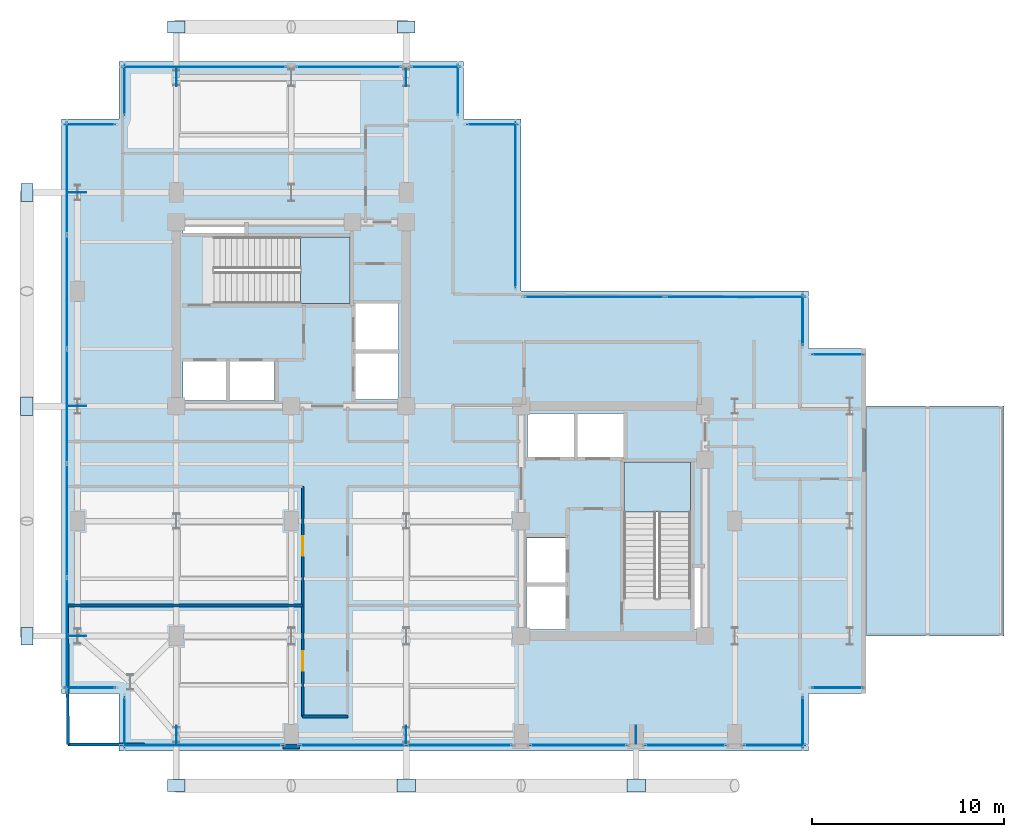
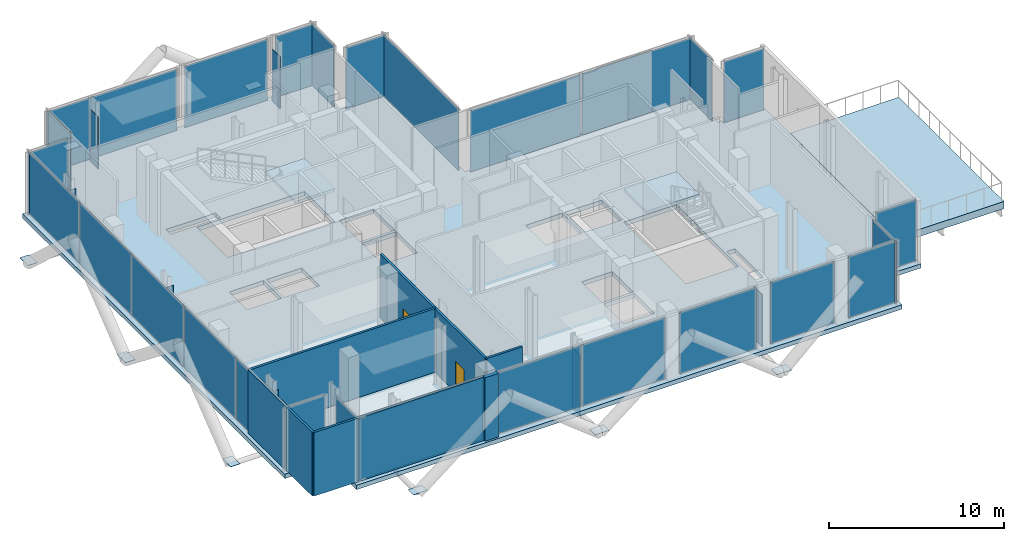
# One storey, part 13 of 19: 43 plates, 6 walls, 4 slabs, 2 doors, 2 openings, 23 elements without a shape of their own.
"""IFC4 building model written with IfcOpenShell, lengths in metres."""

import ifcopenshell
import ifcopenshell.guid

model = None  # the IFC model being written
_history = None  # IfcOwnerHistory: only IFC2X3 demands one
_inside = {}  # id of a spatial element -> (the spatial element, [elements in it])
_under = {}  # id of a project, library or spatial element -> (it, [spatial elements below it])
_declared = {}  # id of a project -> (the project, [libraries it declares])
_typed = {}  # id of a type object -> (the type object, [elements of that type])
_made_of = {}  # id of a material, layer set ... -> (it, [elements and type objects made of it])


def new_model(schema):
    """Start an empty IFC model of exactly this schema.

    Asked for "IFC4X3", IfcOpenShell would pick the latest addendum, in which some entities
    have other attributes; the version numbers below select the first issue.
    IFC2X3 requires an IfcOwnerHistory on every rooted entity: one is made here for all.
    """
    global model, _history
    if schema == "IFC4X3":
        model = ifcopenshell.file(schema_version=(4, 3, 0, 0))
    else:
        model = ifcopenshell.file(schema=schema)
    _inside.clear()
    _under.clear()
    _declared.clear()
    _typed.clear()
    _made_of.clear()
    _history = None
    if model.schema == "IFC2X3":
        org = make("IfcOrganization", Name="unknown")
        user = make(
            "IfcPersonAndOrganization",
            ThePerson=make("IfcPerson", FamilyName="unknown"),
            TheOrganization=org,
        )
        app = make(
            "IfcApplication",
            ApplicationDeveloper=org,
            Version="unknown",
            ApplicationFullName="unknown",
            ApplicationIdentifier="unknown",
        )
        _history = make(
            "IfcOwnerHistory",
            OwningUser=user,
            OwningApplication=app,
            ChangeAction="ADDED",
            CreationDate=0,
        )
    return model


def make(cls, **values):
    """One entity of the class cls with the attributes given. An attribute that is None is left unset."""
    return model.create_entity(
        cls, **{name: value for name, value in values.items() if value is not None}
    )


def rooted(cls, **values):
    """An entity with a GlobalId (a new one), such as an element, a storey or a relation."""
    return make(cls, GlobalId=ifcopenshell.guid.new(), OwnerHistory=_history, **values)


def si_unit(unit_type, name, prefix=None):
    """IfcSIUnit, for example si_unit("LENGTHUNIT", "METRE", prefix="MILLI")."""
    return make("IfcSIUnit", UnitType=unit_type, Prefix=prefix, Name=name)


def assignment(units):
    """IfcUnitAssignment: the units of a project."""
    return None if units is None else make("IfcUnitAssignment", Units=units)


def point(xyz):
    """IfcCartesianPoint."""
    return None if xyz is None else make("IfcCartesianPoint", Coordinates=xyz)


def direction(xyz):
    """IfcDirection."""
    return None if xyz is None else make("IfcDirection", DirectionRatios=xyz)


def frame(location, z_axis=None, x_axis=None):
    """IfcAxis2Placement3D, a coordinate frame: its origin and axes. An axis left out is left unset."""
    return make(
        "IfcAxis2Placement3D",
        Location=point(location),
        Axis=direction(z_axis),
        RefDirection=direction(x_axis),
    )


def frame_2d(location, x_axis=None):
    """IfcAxis2Placement2D, a coordinate frame in the plane: its origin and x axis."""
    return make(
        "IfcAxis2Placement2D", Location=point(location), RefDirection=direction(x_axis)
    )


def origin():
    """The frame at (0, 0, 0) with its axes left unset."""
    return frame((0.0, 0.0, 0.0))


def origin_2d():
    """The frame at (0, 0) in the plane with its x axis left unset."""
    return frame_2d((0.0, 0.0))


def place(relative_to, where):
    """IfcLocalPlacement: puts the frame where relative to a parent placement (None: the world)."""
    return make(
        "IfcLocalPlacement", PlacementRelTo=relative_to, RelativePlacement=where
    )


def context(
    kind, dimensions, precision=None, world=None, true_north=None, identifier=None
):
    """IfcGeometricRepresentationContext, for example the 3D "Model" context."""
    return make(
        "IfcGeometricRepresentationContext",
        ContextIdentifier=identifier,
        ContextType=kind,
        CoordinateSpaceDimension=dimensions,
        Precision=precision,
        WorldCoordinateSystem=world,
        TrueNorth=true_north,
    )


def subcontext(parent, identifier, kind, view, scale=None):
    """IfcGeometricRepresentationSubContext, for example "Body" below "Model"."""
    return make(
        "IfcGeometricRepresentationSubContext",
        ContextIdentifier=identifier,
        ContextType=kind,
        ParentContext=parent,
        TargetScale=scale,
        TargetView=view,
    )


def project(units=None, contexts=None):
    """IfcProject with its units and contexts."""
    return rooted(
        "IfcProject",
        Name="project",
        RepresentationContexts=contexts,
        UnitsInContext=assignment(units),
    )


def spatial(cls, under=None, at=None, **own):
    """A site, building, storey or space (cls), placed at a placement, below another one or the project."""
    s = rooted(cls, ObjectPlacement=at, **own)
    if under is not None:
        _under.setdefault(under.id(), (under, []))[1].append(s)
    return s


def polyline(points):
    """IfcPolyline through the points."""
    return make("IfcPolyline", Points=[point(p) for p in points])


def profile(cls, at=None, kind="AREA", **sizes):
    """A parametric profile (cls). Its sizes go by their IFC names, for example OverallWidth=200.0."""
    return make(cls, ProfileType=kind, Position=at, **sizes)


def rectangle(**sizes):
    """IfcRectangleProfileDef."""
    return profile("IfcRectangleProfileDef", **sizes)


def outline(outer, holes=None, kind="AREA"):
    """IfcArbitraryClosedProfileDef: a profile drawn as a closed curve; with holes, ...WithVoids."""
    if holes is None:
        return make("IfcArbitraryClosedProfileDef", ProfileType=kind, OuterCurve=outer)
    return make(
        "IfcArbitraryProfileDefWithVoids",
        ProfileType=kind,
        OuterCurve=outer,
        InnerCurves=holes,
    )


def extrude(swept, where, along, depth):
    """IfcExtrudedAreaSolid: the profile swept, set in the frame where, extruded along a direction by depth."""
    return make(
        "IfcExtrudedAreaSolid",
        SweptArea=swept,
        Position=where,
        ExtrudedDirection=direction(along),
        Depth=depth,
    )


def shape(context_of_items, identifier, shape_type, items):
    """IfcShapeRepresentation: the items that make up one representation, for example the "Body"."""
    return make(
        "IfcShapeRepresentation",
        ContextOfItems=context_of_items,
        RepresentationIdentifier=identifier,
        RepresentationType=shape_type,
        Items=items,
    )


def material(Name=None, Category=None):
    """IfcMaterial."""
    return make("IfcMaterial", Name=Name, Category=Category)


def layer(
    of_material, thickness, ventilated=None, Name=None, Category=None, Priority=None
):
    """IfcMaterialLayer: one layer of a wall or slab, of a material (None: an air gap)."""
    return make(
        "IfcMaterialLayer",
        Material=of_material,
        LayerThickness=thickness,
        IsVentilated=ventilated,
        Name=Name,
        Category=Category,
        Priority=Priority,
    )


def layer_set(layers, Name=None):
    """IfcMaterialLayerSet."""
    return make("IfcMaterialLayerSet", MaterialLayers=layers, LayerSetName=Name)


def made_of(thing, what):
    """Note that an element or type object is made of a material, layer set ...; save() writes the relation."""
    if what is not None:
        _made_of.setdefault(what.id(), (what, []))[1].append(thing)
    return thing


def type_object(cls, material=None, **own):
    """A type object (cls), such as IfcWallType, which elements share."""
    return made_of(rooted(cls, **own), material)


def element(
    cls,
    number,
    at=None,
    inside=None,
    cuts=None,
    type_object=None,
    material=None,
    context=None,
    identifier="Body",
    shape_type=None,
    held_by="IfcProductDefinitionShape",
    body=None,
    shapes=None,
    **own,
):
    """One element of the class cls, such as IfcWall. Its Tag is "e" and its number.

    at: its placement. inside: the storey or other place that contains it. cuts: it is an
    opening in that element (IfcRelVoidsElement). A single representation is given by context,
    identifier, shape_type and body (its items); several are given by shapes. held_by: the class
    of the entity that holds the representations. save() writes the other relations.
    """
    e = rooted(cls, Tag="e%d" % number, ObjectPlacement=at, **own)
    if body is not None:
        shapes = [shape(context, identifier, shape_type, body)]
    if shapes is not None:
        e.Representation = make(held_by, Representations=shapes)
    if inside is not None:
        _inside.setdefault(inside.id(), (inside, []))[1].append(e)
    if cuts is not None:
        rooted(
            "IfcRelVoidsElement", RelatingBuildingElement=cuts, RelatedOpeningElement=e
        )
    if type_object is not None:
        _typed.setdefault(type_object.id(), (type_object, []))[1].append(e)
    return made_of(e, material)


def fill(opening, filler):
    """IfcRelFillsElement: the door or window that sits in an opening."""
    return rooted(
        "IfcRelFillsElement",
        RelatingOpeningElement=opening,
        RelatedBuildingElement=filler,
    )


def aggregate(whole, parts):
    """IfcRelAggregates: a whole, such as a stair, and the parts it consists of."""
    return rooted("IfcRelAggregates", RelatingObject=whole, RelatedObjects=parts)


def save(model, path):
    """Write the relations noted so far, then the file.

    IfcRelAggregates (storeys below a building ...), IfcRelContainedInSpatialStructure (elements
    in a storey), IfcRelDefinesByType, IfcRelAssociatesMaterial and IfcRelDeclares: one each for
    every whole, place, type object, material and project.
    """
    for whole, parts in _under.values():
        aggregate(whole, parts)
    for where, things in _inside.values():
        rooted(
            "IfcRelContainedInSpatialStructure",
            RelatedElements=things,
            RelatingStructure=where,
        )
    for kind, things in _typed.values():
        rooted("IfcRelDefinesByType", RelatedObjects=things, RelatingType=kind)
    for what, things in _made_of.values():
        rooted("IfcRelAssociatesMaterial", RelatedObjects=things, RelatingMaterial=what)
    for by, libraries in _declared.values():
        rooted("IfcRelDeclares", RelatingContext=by, RelatedDefinitions=libraries)
    model.write(path)


model = new_model("IFC4")

# Units and contexts
model_context = context("Model", 3, precision=1e-05, world=origin(), true_north=direction((0.0, 1.0)))
body_context = subcontext(model_context, "Body", "Model", "MODEL_VIEW")
ifc_project = project(units=[si_unit("LENGTHUNIT", "METRE"), si_unit("AREAUNIT", "SQUARE_METRE"), si_unit("VOLUMEUNIT", "CUBIC_METRE"), si_unit("PLANEANGLEUNIT", "RADIAN"), si_unit("MASSUNIT", "GRAM", prefix="KILO"), si_unit("THERMODYNAMICTEMPERATUREUNIT", "KELVIN"), si_unit("POWERUNIT", "WATT")], contexts=[model_context])

# Site, building, storey
site_placement = place(None, origin())
site = spatial("IfcSite", under=ifc_project, at=site_placement, CompositionType="ELEMENT")
building_placement = place(site_placement, origin())
building = spatial("IfcBuilding", under=site, at=building_placement, Name="Svarakhadi Broadcast Tower", CompositionType="ELEMENT")
storey_placement = place(building_placement, frame((0.0, 0.0, 204.0)))
storey = spatial("IfcBuildingStorey", under=building, at=storey_placement, Name="L50", CompositionType="ELEMENT", Elevation=204.0)

# Curtain wall, plate
ifc_material_1 = material(Name="Anodised Bronze Aluminium AA 6063-T6", Category="aluminium")
ifc_layer_1 = layer(ifc_material_1, 0.239990234375)
ifc_layer_set_1 = layer_set([ifc_layer_1], Name="Anodised Bronze Aluminium AA 6063-T6")
curtain_wall_type = type_object("IfcCurtainWallType", Name="CW_Sys_06", PredefinedType="NOTDEFINED", material=ifc_layer_set_1)
curtain_wall_1_placement = place(storey_placement, origin())
curtain_wall_1 = element("IfcCurtainWall", 1, at=curtain_wall_1_placement, inside=storey, type_object=curtain_wall_type, Name="L50 Unitised Facade Curtain Wall 01", PredefinedType="NOTDEFINED")
ifc_material_2 = material(Name="Double Low-E Laminated Acoustic Glass IGU 36 mm", Category="glass")
ifc_layer_2 = layer(ifc_material_2, 0.0400390625)
ifc_layer_set_2 = layer_set([ifc_layer_2], Name="Double Low-E Laminated Acoustic Glass IGU 36 mm")
plate_type_1 = type_object("IfcPlateType", Name="CW_Sys_06_Pnl", PredefinedType="CURTAIN_PANEL", material=ifc_layer_set_2)
plate_1_placement = place(storey_placement, frame((1.5, 3.300048828125, 0.080078125), z_axis=(0.0, 0.0, 1.0), x_axis=(-1.0, 0.0, 0.0)))
plate_1 = element("IfcPlate", 2, at=plate_1_placement, type_object=plate_type_1, Name="CW-06 panel 1.1", PredefinedType="CURTAIN_PANEL", context=body_context, shape_type="SweptSolid", body=[
    extrude(rectangle(XDim=2.639892578125, YDim=0.0400390625, at=origin_2d()), origin(), (0.0, 0.0, 1.0), 4.280029296875),
])
aggregate(curtain_wall_1, [plate_1])

# Curtain wall, plates
curtain_wall_2_placement = place(storey_placement, origin())
curtain_wall_2 = element("IfcCurtainWall", 3, at=curtain_wall_2_placement, inside=storey, type_object=curtain_wall_type, Name="L50 Unitised Facade Curtain Wall 02", PredefinedType="NOTDEFINED")
plate_2_placement = place(storey_placement, frame((0.300048828125, 6.094482421875, 0.080078125), z_axis=(0.0, 0.0, 1.0), x_axis=(0.0, 1.0, 0.0)))
plate_2 = element("IfcPlate", 4, at=plate_2_placement, type_object=plate_type_1, Name="CW-06 panel 1.1", PredefinedType="CURTAIN_PANEL", context=body_context, shape_type="SweptSolid", body=[
    extrude(rectangle(XDim=5.8291015625, YDim=0.0400390625, at=origin_2d()), origin(), (0.0, 0.0, 1.0), 4.280029296875),
])
plate_3_placement = place(storey_placement, frame((0.300048828125, 12.035888671875, 0.080078125), z_axis=(0.0, 0.0, 1.0), x_axis=(0.0, 1.0, 0.0)))
plate_3 = element("IfcPlate", 5, at=plate_3_placement, type_object=plate_type_1, Name="CW-06 panel 2.1", PredefinedType="CURTAIN_PANEL", context=body_context, shape_type="SweptSolid", body=[
    extrude(rectangle(XDim=5.8740234375, YDim=0.0400390625, at=origin_2d()), origin(), (0.0, 0.0, 1.0), 4.280029296875),
])
plate_4_placement = place(storey_placement, frame((0.300048828125, 18.0, 0.080078125), z_axis=(0.0, 0.0, 1.0), x_axis=(0.0, 1.0, 0.0)))
plate_4 = element("IfcPlate", 6, at=plate_4_placement, type_object=plate_type_1, Name="CW-06 panel 3.1", PredefinedType="CURTAIN_PANEL", context=body_context, shape_type="SweptSolid", body=[
    extrude(rectangle(XDim=5.8740234375, YDim=0.0400390625, at=origin_2d()), origin(), (0.0, 0.0, 1.0), 4.280029296875),
])
plate_5_placement = place(storey_placement, frame((0.300048828125, 23.964111328125, 0.080078125), z_axis=(0.0, 0.0, 1.0), x_axis=(0.0, 1.0, 0.0)))
plate_5 = element("IfcPlate", 7, at=plate_5_placement, type_object=plate_type_1, Name="CW-06 panel 4.1", PredefinedType="CURTAIN_PANEL", context=body_context, shape_type="SweptSolid", body=[
    extrude(rectangle(XDim=5.8740234375, YDim=0.0400390625, at=origin_2d()), origin(), (0.0, 0.0, 1.0), 4.280029296875),
])
plate_6_placement = place(storey_placement, frame((0.300048828125, 29.905517578125, 0.080078125), z_axis=(0.0, 0.0, 1.0), x_axis=(0.0, 1.0, 0.0)))
plate_6 = element("IfcPlate", 8, at=plate_6_placement, type_object=plate_type_1, Name="CW-06 panel 5.1", PredefinedType="CURTAIN_PANEL", context=body_context, shape_type="SweptSolid", body=[
    extrude(rectangle(XDim=5.8291015625, YDim=0.0400390625, at=origin_2d()), origin(), (0.0, 0.0, 1.0), 4.280029296875),
])
aggregate(curtain_wall_2, [plate_2, plate_3, plate_4, plate_5, plate_6])

# Curtain wall, plate
curtain_wall_3_placement = place(storey_placement, origin())
curtain_wall_3 = element("IfcCurtainWall", 9, at=curtain_wall_3_placement, inside=storey, type_object=curtain_wall_type, Name="L50 Unitised Facade Curtain Wall 03", PredefinedType="NOTDEFINED")
plate_7_placement = place(storey_placement, frame((1.5, 32.699951171875, 0.080078125), z_axis=(0.0, 0.0, 1.0), x_axis=(1.0, 0.0, 0.0)))
plate_7 = element("IfcPlate", 10, at=plate_7_placement, type_object=plate_type_1, Name="CW-06 panel 1.1", PredefinedType="CURTAIN_PANEL", context=body_context, shape_type="SweptSolid", body=[
    extrude(rectangle(XDim=2.639892578125, YDim=0.0400390625, at=origin_2d()), origin(), (0.0, 0.0, 1.0), 4.280029296875),
])
aggregate(curtain_wall_3, [plate_7])

curtain_wall_4_placement = place(storey_placement, origin())
curtain_wall_4 = element("IfcCurtainWall", 11, at=curtain_wall_4_placement, inside=storey, type_object=curtain_wall_type, Name="L50 Unitised Facade Curtain Wall 04", PredefinedType="NOTDEFINED")
plate_8_placement = place(storey_placement, frame((3.300048828125, 34.5, 0.080078125), z_axis=(0.0, 0.0, 1.0), x_axis=(0.0, 1.0, 0.0)))
plate_8 = element("IfcPlate", 12, at=plate_8_placement, type_object=plate_type_1, Name="CW-06 panel 1.1", PredefinedType="CURTAIN_PANEL", context=body_context, shape_type="SweptSolid", body=[
    extrude(rectangle(XDim=2.639892578125, YDim=0.0400390625, at=origin_2d()), origin(), (0.0, 0.0, 1.0), 4.280029296875),
])
aggregate(curtain_wall_4, [plate_8])

curtain_wall_5_placement = place(storey_placement, origin())
curtain_wall_5 = element("IfcCurtainWall", 13, at=curtain_wall_5_placement, inside=storey, type_object=curtain_wall_type, Name="L50 Unitised Facade Curtain Wall 05 Bay 1", PredefinedType="NOTDEFINED")
plate_9_placement = place(storey_placement, frame((7.4599609375, 35.699951171875, 0.080078125), z_axis=(0.0, 0.0, 1.0), x_axis=(1.0, 0.0, 0.0)))
plate_9 = element("IfcPlate", 14, at=plate_9_placement, type_object=plate_type_1, Name="CW-06 panel 1.1", PredefinedType="CURTAIN_PANEL", context=body_context, shape_type="SweptSolid", body=[
    extrude(rectangle(XDim=8.56005859375, YDim=0.0400390625, at=origin_2d()), origin(), (0.0, 0.0, 1.0), 4.280029296875),
])
aggregate(curtain_wall_5, [plate_9])

curtain_wall_6_placement = place(storey_placement, origin())
curtain_wall_6 = element("IfcCurtainWall", 15, at=curtain_wall_6_placement, inside=storey, type_object=curtain_wall_type, Name="L50 Unitised Facade Curtain Wall 05 Bay 2", PredefinedType="NOTDEFINED")
plate_10_placement = place(storey_placement, frame((15.0, 35.699951171875, 0.080078125), z_axis=(0.0, 0.0, 1.0), x_axis=(1.0, 0.0, 0.0)))
plate_10 = element("IfcPlate", 16, at=plate_10_placement, type_object=plate_type_1, Name="CW-06 panel 1.1", PredefinedType="CURTAIN_PANEL", context=body_context, shape_type="SweptSolid", body=[
    extrude(rectangle(XDim=5.47998046875, YDim=0.0400390625, at=origin_2d()), origin(), (0.0, 0.0, 1.0), 4.280029296875),
])
aggregate(curtain_wall_6, [plate_10])

curtain_wall_7_placement = place(storey_placement, origin())
curtain_wall_7 = element("IfcCurtainWall", 17, at=curtain_wall_7_placement, inside=storey, type_object=curtain_wall_type, Name="L50 Unitised Facade Curtain Wall 05 Bay 3", PredefinedType="NOTDEFINED")
plate_11_placement = place(storey_placement, frame((19.5400390625, 35.699951171875, 0.080078125), z_axis=(0.0, 0.0, 1.0), x_axis=(1.0, 0.0, 0.0)))
plate_11 = element("IfcPlate", 18, at=plate_11_placement, type_object=plate_type_1, Name="CW-06 panel 1.1", PredefinedType="CURTAIN_PANEL", context=body_context, shape_type="SweptSolid", body=[
    extrude(rectangle(XDim=2.56005859375, YDim=0.0400390625, at=origin_2d()), origin(), (0.0, 0.0, 1.0), 4.280029296875),
])
aggregate(curtain_wall_7, [plate_11])

curtain_wall_8_placement = place(storey_placement, origin())
curtain_wall_8 = element("IfcCurtainWall", 19, at=curtain_wall_8_placement, inside=storey, type_object=curtain_wall_type, Name="L50 Unitised Facade Curtain Wall 06", PredefinedType="NOTDEFINED")
plate_12_placement = place(storey_placement, frame((20.699951171875, 34.5, 0.080078125), z_axis=(0.0, 0.0, 1.0), x_axis=(0.0, -1.0, 0.0)))
plate_12 = element("IfcPlate", 20, at=plate_12_placement, type_object=plate_type_1, Name="CW-06 panel 1.1", PredefinedType="CURTAIN_PANEL", context=body_context, shape_type="SweptSolid", body=[
    extrude(rectangle(XDim=2.639892578125, YDim=0.0400390625, at=origin_2d()), origin(), (0.0, 0.0, 1.0), 4.280029296875),
])
aggregate(curtain_wall_8, [plate_12])

curtain_wall_9_placement = place(storey_placement, origin())
curtain_wall_9 = element("IfcCurtainWall", 21, at=curtain_wall_9_placement, inside=storey, type_object=curtain_wall_type, Name="L50 Unitised Facade Curtain Wall 07", PredefinedType="NOTDEFINED")
plate_13_placement = place(storey_placement, frame((22.5, 32.699951171875, 0.080078125), z_axis=(0.0, 0.0, 1.0), x_axis=(1.0, 0.0, 0.0)))
plate_13 = element("IfcPlate", 22, at=plate_13_placement, type_object=plate_type_1, Name="CW-06 panel 1.1", PredefinedType="CURTAIN_PANEL", context=body_context, shape_type="SweptSolid", body=[
    extrude(rectangle(XDim=2.639892578125, YDim=0.0400390625, at=origin_2d()), origin(), (0.0, 0.0, 1.0), 4.280029296875),
])
aggregate(curtain_wall_9, [plate_13])

curtain_wall_10_placement = place(storey_placement, origin())
curtain_wall_10 = element("IfcCurtainWall", 23, at=curtain_wall_10_placement, inside=storey, type_object=curtain_wall_type, Name="L50 Unitised Facade Curtain Wall 08", PredefinedType="NOTDEFINED")
plate_14_placement = place(storey_placement, frame((23.699951171875, 28.5, 0.080078125), z_axis=(0.0, 0.0, 1.0), x_axis=(0.0, -1.0, 0.0)))
plate_14 = element("IfcPlate", 24, at=plate_14_placement, type_object=plate_type_1, Name="CW-06 panel 1.1", PredefinedType="CURTAIN_PANEL", context=body_context, shape_type="SweptSolid", body=[
    extrude(rectangle(XDim=8.639892578125, YDim=0.0400390625, at=origin_2d()), origin(), (0.0, 0.0, 1.0), 4.280029296875),
])
aggregate(curtain_wall_10, [plate_14])

# Curtain wall, plates
curtain_wall_11_placement = place(storey_placement, origin())
curtain_wall_11 = element("IfcCurtainWall", 25, at=curtain_wall_11_placement, inside=storey, type_object=curtain_wall_type, Name="L50 Unitised Facade Curtain Wall 09", PredefinedType="NOTDEFINED")
plate_15_placement = place(storey_placement, frame((27.8173828125, 23.699951171875, 0.080078125), z_axis=(0.0, 0.0, 1.0), x_axis=(1.0, 0.0, 0.0)))
plate_15 = element("IfcPlate", 26, at=plate_15_placement, type_object=plate_type_1, Name="CW-06 panel 1.1", PredefinedType="CURTAIN_PANEL", context=body_context, shape_type="SweptSolid", body=[
    extrude(rectangle(XDim=7.27490234375, YDim=0.0400390625, at=origin_2d()), origin(), (0.0, 0.0, 1.0), 4.280029296875),
])
plate_16_placement = place(storey_placement, frame((35.1826171875, 23.699951171875, 0.080078125), z_axis=(0.0, 0.0, 1.0), x_axis=(1.0, 0.0, 0.0)))
plate_16 = element("IfcPlate", 27, at=plate_16_placement, type_object=plate_type_1, Name="CW-06 panel 2.1", PredefinedType="CURTAIN_PANEL", context=body_context, shape_type="SweptSolid", body=[
    extrude(rectangle(XDim=7.27490234375, YDim=0.0400390625, at=origin_2d()), origin(), (0.0, 0.0, 1.0), 4.280029296875),
])
aggregate(curtain_wall_11, [plate_15, plate_16])

# Curtain wall, plate
curtain_wall_12_placement = place(storey_placement, origin())
curtain_wall_12 = element("IfcCurtainWall", 28, at=curtain_wall_12_placement, inside=storey, type_object=curtain_wall_type, Name="L50 Unitised Facade Curtain Wall 10", PredefinedType="NOTDEFINED")
plate_17_placement = place(storey_placement, frame((38.699951171875, 22.5, 0.080078125), z_axis=(0.0, 0.0, 1.0), x_axis=(0.0, -1.0, 0.0)))
plate_17 = element("IfcPlate", 29, at=plate_17_placement, type_object=plate_type_1, Name="CW-06 panel 1.1", PredefinedType="CURTAIN_PANEL", context=body_context, shape_type="SweptSolid", body=[
    extrude(rectangle(XDim=2.639892578125, YDim=0.0400390625, at=origin_2d()), origin(), (0.0, 0.0, 1.0), 4.280029296875),
])
aggregate(curtain_wall_12, [plate_17])

curtain_wall_13_placement = place(storey_placement, origin())
curtain_wall_13 = element("IfcCurtainWall", 30, at=curtain_wall_13_placement, inside=storey, type_object=curtain_wall_type, Name="L50 Unitised Facade Curtain Wall 11", PredefinedType="NOTDEFINED")
plate_18_placement = place(storey_placement, frame((40.5, 20.699951171875, 0.080078125), z_axis=(0.0, 0.0, 1.0), x_axis=(1.0, 0.0, 0.0)))
plate_18 = element("IfcPlate", 31, at=plate_18_placement, type_object=plate_type_1, Name="CW-06 panel 1.1", PredefinedType="CURTAIN_PANEL", context=body_context, shape_type="SweptSolid", body=[
    extrude(rectangle(XDim=2.639892578125, YDim=0.0400390625, at=origin_2d()), origin(), (0.0, 0.0, 1.0), 4.280029296875),
])
aggregate(curtain_wall_13, [plate_18])

curtain_wall_14_placement = place(storey_placement, origin())
curtain_wall_14 = element("IfcCurtainWall", 32, at=curtain_wall_14_placement, inside=storey, type_object=curtain_wall_type, Name="L50 Unitised Facade Curtain Wall 12", PredefinedType="NOTDEFINED")
plate_19_placement = place(storey_placement, frame((40.5, 3.300048828125, 0.080078125), z_axis=(0.0, 0.0, 1.0), x_axis=(-1.0, 0.0, 0.0)))
plate_19 = element("IfcPlate", 33, at=plate_19_placement, type_object=plate_type_1, Name="CW-06 panel 1.1", PredefinedType="CURTAIN_PANEL", context=body_context, shape_type="SweptSolid", body=[
    extrude(rectangle(XDim=2.639892578125, YDim=0.0400390625, at=origin_2d()), origin(), (0.0, 0.0, 1.0), 4.280029296875),
])
aggregate(curtain_wall_14, [plate_19])

curtain_wall_15_placement = place(storey_placement, origin())
curtain_wall_15 = element("IfcCurtainWall", 34, at=curtain_wall_15_placement, inside=storey, type_object=curtain_wall_type, Name="L50 Unitised Facade Curtain Wall 13", PredefinedType="NOTDEFINED")
plate_20_placement = place(storey_placement, frame((38.699951171875, 1.5, 0.080078125), z_axis=(0.0, 0.0, 1.0), x_axis=(0.0, -1.0, 0.0)))
plate_20 = element("IfcPlate", 35, at=plate_20_placement, type_object=plate_type_1, Name="CW-06 panel 1.1", PredefinedType="CURTAIN_PANEL", context=body_context, shape_type="SweptSolid", body=[
    extrude(rectangle(XDim=2.639892578125, YDim=0.0400390625, at=origin_2d()), origin(), (0.0, 0.0, 1.0), 4.280029296875),
])
aggregate(curtain_wall_15, [plate_20])

curtain_wall_16_placement = place(storey_placement, origin())
curtain_wall_16 = element("IfcCurtainWall", 36, at=curtain_wall_16_placement, inside=storey, type_object=curtain_wall_type, Name="L50 South Curtain Wall 14 Bay 1", PredefinedType="NOTDEFINED")
plate_21_placement = place(storey_placement, frame((37.2275390625, 0.300048828125, 0.080078125), z_axis=(0.0, 0.0, 1.0), x_axis=(-1.0, 0.0, 0.0)))
plate_21 = element("IfcPlate", 37, at=plate_21_placement, type_object=plate_type_1, Name="CW-06 panel 1.1", PredefinedType="CURTAIN_PANEL", context=body_context, shape_type="SweptSolid", body=[
    extrude(rectangle(XDim=3.18505859375, YDim=0.0400390625, at=origin_2d()), origin(), (0.0, 0.0, 1.0), 4.280029296875),
])
aggregate(curtain_wall_16, [plate_21])

curtain_wall_17_placement = place(storey_placement, origin())
curtain_wall_17 = element("IfcCurtainWall", 38, at=curtain_wall_17_placement, inside=storey, type_object=curtain_wall_type, Name="L50 South Curtain Wall 14 Bay 2", PredefinedType="NOTDEFINED")
plate_22_placement = place(storey_placement, frame((32.574951171875, 0.300048828125, 0.080078125), z_axis=(0.0, 0.0, 1.0), x_axis=(-1.0, 0.0, 0.0)))
plate_22 = element("IfcPlate", 39, at=plate_22_placement, type_object=plate_type_1, Name="CW-06 panel 1.1", PredefinedType="CURTAIN_PANEL", context=body_context, shape_type="SweptSolid", body=[
    extrude(rectangle(XDim=4.179931640625, YDim=0.0400390625, at=origin_2d()), origin(), (0.0, 0.0, 1.0), 4.280029296875),
])
aggregate(curtain_wall_17, [plate_22])

curtain_wall_18_placement = place(storey_placement, origin())
curtain_wall_18 = element("IfcCurtainWall", 40, at=curtain_wall_18_placement, inside=storey, type_object=curtain_wall_type, Name="L50 South Curtain Wall 14 Bay 3", PredefinedType="NOTDEFINED")
plate_23_placement = place(storey_placement, frame((27.0, 0.300048828125, 0.080078125), z_axis=(0.0, 0.0, 1.0), x_axis=(-1.0, 0.0, 0.0)))
plate_23 = element("IfcPlate", 41, at=plate_23_placement, type_object=plate_type_1, Name="CW-06 panel 1.1", PredefinedType="CURTAIN_PANEL", context=body_context, shape_type="SweptSolid", body=[
    extrude(rectangle(XDim=5.030029296875, YDim=0.0400390625, at=origin_2d()), origin(), (0.0, 0.0, 1.0), 4.280029296875),
])
aggregate(curtain_wall_18, [plate_23])

# Curtain wall, plates
curtain_wall_19_placement = place(storey_placement, origin())
curtain_wall_19 = element("IfcCurtainWall", 42, at=curtain_wall_19_placement, inside=storey, type_object=curtain_wall_type, Name="L50 South Curtain Wall 14 Bay 4", PredefinedType="NOTDEFINED")
plate_24_placement = place(storey_placement, frame((20.780029296875, 0.300048828125, 0.080078125), z_axis=(0.0, 0.0, 1.0), x_axis=(-1.0, 0.0, 0.0)))
plate_24 = element("IfcPlate", 43, at=plate_24_placement, type_object=plate_type_1, Name="CW-06 panel 1.1", PredefinedType="CURTAIN_PANEL", context=body_context, shape_type="SweptSolid", body=[
    extrude(rectangle(XDim=5.469970703125, YDim=0.0400390625, at=origin_2d()), origin(), (0.0, 0.0, 1.0), 4.280029296875),
])
plate_25_placement = place(storey_placement, frame((15.219970703125, 0.300048828125, 0.080078125), z_axis=(0.0, 0.0, 1.0), x_axis=(-1.0, 0.0, 0.0)))
plate_25 = element("IfcPlate", 44, at=plate_25_placement, type_object=plate_type_1, Name="CW-06 panel 2.1", PredefinedType="CURTAIN_PANEL", context=body_context, shape_type="SweptSolid", body=[
    extrude(rectangle(XDim=5.469970703125, YDim=0.0400390625, at=origin_2d()), origin(), (0.0, 0.0, 1.0), 4.280029296875),
])
aggregate(curtain_wall_19, [plate_24, plate_25])

# Curtain wall, plate
curtain_wall_20_placement = place(storey_placement, origin())
curtain_wall_20 = element("IfcCurtainWall", 45, at=curtain_wall_20_placement, inside=storey, type_object=curtain_wall_type, Name="L50 South Curtain Wall 14 Bay 5", PredefinedType="NOTDEFINED")
plate_26_placement = place(storey_placement, frame((7.347412109375, 0.300048828125, 0.080078125), z_axis=(0.0, 0.0, 1.0), x_axis=(-1.0, 0.0, 0.0)))
plate_26 = element("IfcPlate", 46, at=plate_26_placement, type_object=plate_type_1, Name="CW-06 panel 1.1", PredefinedType="CURTAIN_PANEL", context=body_context, shape_type="SweptSolid", body=[
    extrude(rectangle(XDim=8.3349609375, YDim=0.0400390625, at=origin_2d()), origin(), (0.0, 0.0, 1.0), 4.280029296875),
])
aggregate(curtain_wall_20, [plate_26])

curtain_wall_21_placement = place(storey_placement, origin())
curtain_wall_21 = element("IfcCurtainWall", 47, at=curtain_wall_21_placement, inside=storey, type_object=curtain_wall_type, Name="L50 Unitised Facade Curtain Wall 15", PredefinedType="NOTDEFINED")
plate_27_placement = place(storey_placement, frame((3.300048828125, 1.5, 0.080078125), z_axis=(0.0, 0.0, 1.0), x_axis=(0.0, 1.0, 0.0)))
plate_27 = element("IfcPlate", 48, at=plate_27_placement, type_object=plate_type_1, Name="CW-06 panel 1.1", PredefinedType="CURTAIN_PANEL", context=body_context, shape_type="SweptSolid", body=[
    extrude(rectangle(XDim=2.639892578125, YDim=0.0400390625, at=origin_2d()), origin(), (0.0, 0.0, 1.0), 4.280029296875),
])
aggregate(curtain_wall_21, [plate_27])

# Plates
ifc_material_3 = material(Name="Steel S460ML (IS 2062 E450BR)", Category="steel")
ifc_layer_3 = layer(ifc_material_3, 0.028076171875)
ifc_layer_set_3 = layer_set([ifc_layer_3], Name="Steel S460ML (IS 2062 E450BR)")
plate_type_2 = type_object("IfcPlateType", Name="Node_Gusset_N03", PredefinedType="SHEET", material=ifc_layer_set_3)
for number, where, z_axis, x_axis, name in (
    (49, (18.0, -1.800048828125, -0.2998046875), (0.0, 0.0, 1.0), (1.0, 0.0, 0.0), "L50 Exoskeleton Gusset Node Plate S02"),
    (50, (30.0, -1.800048828125, -0.2998046875), (0.0, 0.0, 1.0), (1.0, 0.0, 0.0), "L50 Exoskeleton Gusset Node Plate S03"),
    (51, (-1.800048828125, 18.0, -0.2998046875), (0.0, 0.0, 1.0), (0.0, 1.0, 0.0), "L50 Exoskeleton Gusset Node Plate W05"),
):
    element("IfcPlate", number, at=place(storey_placement, frame(where, z_axis=z_axis, x_axis=x_axis)), inside=storey, type_object=plate_type_2, Name=name, PredefinedType="SHEET", context=body_context, shape_type="SweptSolid", body=[
        extrude(rectangle(XDim=0.9599609375, YDim=0.659912109375, at=origin_2d()), origin(), (0.0, 0.0, 1.0), 0.028076171875),
    ])
ifc_layer_4 = layer(ifc_material_3, 0.02587890625)
ifc_layer_set_4 = layer_set([ifc_layer_4], Name="Steel S460ML (IS 2062 E450BR)")
plate_type_3 = type_object("IfcPlateType", Name="Node_Gusset_N07", PredefinedType="SHEET", material=ifc_layer_set_4)
for number, where, z_axis, x_axis, name in (
    (52, (6.0, -1.800048828125, -0.300048828125), (0.0, 0.0, 1.0), (1.0, 0.0, 0.0), "L50 Exoskeleton Gusset Node Plate S01"),
    (53, (-1.800048828125, 6.0, -0.300048828125), (0.0, 0.0, 1.0), (0.0, 1.0, 0.0), "L50 Exoskeleton Gusset Node Plate W04"),
    (54, (-1.800048828125, 29.14990234375, -0.300048828125), (0.0, 0.0, 1.0), (0.0, 1.0, 0.0), "L50 Exoskeleton Gusset Node Plate W06"),
    (55, (6.0, 37.800048828125, -0.300048828125), (0.0, 0.0, 1.0), (1.0, 0.0, 0.0), "L50 Exoskeleton Gusset Node Plate N07"),
    (56, (18.0, 37.800048828125, -0.300048828125), (0.0, 0.0, 1.0), (1.0, 0.0, 0.0), "L50 Exoskeleton Gusset Node Plate N08"),
):
    element("IfcPlate", number, at=place(storey_placement, frame(where, z_axis=z_axis, x_axis=x_axis)), inside=storey, type_object=plate_type_3, Name=name, PredefinedType="SHEET", context=body_context, shape_type="SweptSolid", body=[
        extrude(rectangle(XDim=0.919921875, YDim=0.6201171875, at=origin_2d()), origin(), (0.0, 0.0, 1.0), 0.02587890625),
    ])
for number, where, z_axis, x_axis, name in (
    (57, (6.0, 0.85009765625, -0.662109375), (0.0, 0.0, 1.0), (0.0, 1.0, 0.0), "L50 Brace End Connection Gusset Plate N-07-E0409"),
    (58, (18.0, 0.85009765625, -0.662109375), (0.0, 0.0, 1.0), (0.0, 1.0, 0.0), "L50 Brace End Connection Gusset Plate N-07-E0410"),
    (59, (30.0, 0.85009765625, -0.662109375), (0.0, 0.0, 1.0), (0.0, 1.0, 0.0), "L50 Brace End Connection Gusset Plate N-07-E0411"),
    (60, (0.85009765625, 6.0, -0.662109375), (0.0, 0.0, 1.0), (1.0, 0.0, 0.0), "L50 Brace End Connection Gusset Plate N-07-E0412"),
    (61, (0.85009765625, 18.0, -0.662109375), (0.0, 0.0, 1.0), (1.0, 0.0, 0.0), "L50 Brace End Connection Gusset Plate N-07-E0413"),
    (62, (0.85009765625, 29.14990234375, -0.662109375), (0.0, 0.0, 1.0), (1.0, 0.0, 0.0), "L50 Brace End Connection Gusset Plate N-07-E0414"),
    (63, (6.0, 35.14990234375, -0.662109375), (0.0, 0.0, 1.0), (0.0, 1.0, 0.0), "L50 Brace End Connection Gusset Plate N-07-E0415"),
    (64, (18.0, 35.14990234375, -0.662109375), (0.0, 0.0, 1.0), (0.0, 1.0, 0.0), "L50 Brace End Connection Gusset Plate N-07-E0416"),
):
    element("IfcPlate", number, at=place(storey_placement, frame(where, z_axis=z_axis, x_axis=x_axis)), inside=storey, type_object=plate_type_3, Name=name, PredefinedType="SHEET", context=body_context, shape_type="SweptSolid", body=[
        extrude(rectangle(XDim=0.919921875, YDim=0.02587890625, at=origin_2d()), origin(), (0.0, 0.0, 1.0), 4.300048828125),
    ])

# Slabs
ifc_material_4 = material(Name="Concrete C40/50 (IS 456 M50)", Category="concrete")
ifc_layer_5 = layer(ifc_material_4, 0.300048828125)
ifc_layer_set_5 = layer_set([ifc_layer_5], Name="Concrete C40/50 (IS 456 M50)")
slab_type_1 = type_object("IfcSlabType", Name="Slab_Floor_300", PredefinedType="FLOOR", material=ifc_layer_set_5)
slab_1_placement = place(storey_placement, frame((0.0, 0.0, -0.300048828125)))
element("IfcSlab", 65, at=slab_1_placement, inside=storey, type_object=slab_type_1, Name="L50 Structural Floor Slab", PredefinedType="FLOOR", context=body_context, shape_type="SweptSolid", body=[
    extrude(outline(polyline([(3.0, 0.0), (39.0, 0.0), (39.0, 3.0), (42.0, 3.0), (42.0, 21.0), (39.0, 21.0), (39.0, 24.0), (24.0, 24.0), (24.0, 33.0), (21.0, 33.0), (21.0, 36.0), (3.0, 36.0), (3.0, 33.0), (0.0, 33.0), (0.0, 3.0), (3.0, 3.0), (3.0, 0.0)]), holes=[polyline([(7.97998046875, 23.360107421875), (15.080078125, 23.360107421875), (15.080078125, 26.840087890625), (7.97998046875, 26.840087890625), (7.97998046875, 23.360107421875)]), polyline([(32.840087890625, 7.97998046875), (32.840087890625, 15.080078125), (29.360107421875, 15.080078125), (29.360107421875, 7.97998046875), (32.840087890625, 7.97998046875)]), polyline([(6.340087890625, 18.2900390625), (8.610107421875, 18.2900390625), (8.610107421875, 20.330078125), (6.340087890625, 20.330078125), (6.340087890625, 18.2900390625)]), polyline([(8.7900390625, 18.2900390625), (11.1298828125, 18.2900390625), (11.1298828125, 20.330078125), (8.7900390625, 20.330078125), (8.7900390625, 18.2900390625)]), polyline([(24.2900390625, 6.340087890625), (26.330078125, 6.340087890625), (26.330078125, 8.610107421875), (24.2900390625, 8.610107421875), (24.2900390625, 6.340087890625)]), polyline([(24.2900390625, 8.7900390625), (26.330078125, 8.7900390625), (26.330078125, 11.1298828125), (24.2900390625, 11.1298828125), (24.2900390625, 8.7900390625)]), polyline([(6.340087890625, 26.989990234375), (9.610107421875, 26.989990234375), (9.610107421875, 27.530029296875), (6.340087890625, 27.530029296875), (6.340087890625, 26.989990234375)]), polyline([(32.989990234375, 6.340087890625), (33.530029296875, 6.340087890625), (33.530029296875, 9.610107421875), (32.989990234375, 9.610107421875), (32.989990234375, 6.340087890625)]), polyline([(15.340087890625, 18.340087890625), (17.610107421875, 18.340087890625), (17.610107421875, 20.760009765625), (15.340087890625, 20.760009765625), (15.340087890625, 18.340087890625)]), polyline([(15.340087890625, 20.93994140625), (17.610107421875, 20.93994140625), (17.610107421875, 23.360107421875), (15.340087890625, 23.360107421875), (15.340087890625, 20.93994140625)]), polyline([(24.340087890625, 15.340087890625), (26.760009765625, 15.340087890625), (26.760009765625, 17.610107421875), (24.340087890625, 17.610107421875), (24.340087890625, 15.340087890625)]), polyline([(26.93994140625, 15.340087890625), (29.360107421875, 15.340087890625), (29.360107421875, 17.610107421875), (26.93994140625, 17.610107421875), (26.93994140625, 15.340087890625)])]), origin(), (0.0, 0.0, 1.0), 0.300048828125),
])
ifc_material_5 = material(Name="Concrete C45/55 (IS 456 M55 Marine)", Category="concrete")
ifc_layer_6 = layer(ifc_material_5, 0.5)
ifc_layer_set_6 = layer_set([ifc_layer_6], Name="Concrete C45/55 (IS 456 M55 Marine)")
slab_type_2 = type_object("IfcSlabType", Name="Slab_SkyPool", PredefinedType="FLOOR", material=ifc_layer_set_6)
slab_2_placement = place(storey_placement, frame((0.0, 0.0, -0.5)))
element("IfcSlab", 66, at=slab_2_placement, inside=storey, type_object=slab_type_2, Name="L50 Cantilevered Sky Pool Basin and Terrace Deck Slab", PredefinedType="FLOOR", context=body_context, shape_type="SweptSolid", body=[
    extrude(outline(polyline([(42.02001953125, 6.0), (49.199951171875, 6.0), (49.199951171875, 18.0), (42.02001953125, 18.0), (42.02001953125, 6.0)])), origin(), (0.0, 0.0, 1.0), 0.5),
])

# Stair, slab
stair_type = type_object("IfcStairType", Name="Stair_Exit_Core", PredefinedType="HALF_TURN_STAIR", material=ifc_material_4)
stair_1_placement = place(storey_placement, origin())
stair_1 = element("IfcStair", 67, at=stair_1_placement, inside=storey, type_object=stair_type, Name="L50 West Core Protected Exit Stair ST-01", PredefinedType="HALF_TURN_STAIR")
ifc_layer_7 = layer(ifc_material_4, 0.199951171875)
ifc_layer_set_7 = layer_set([ifc_layer_7], Name="Concrete C40/50 (IS 456 M50)")
slab_type_3 = type_object("IfcSlabType", Name="Slab_Stair_Land", PredefinedType="LANDING", material=ifc_layer_set_7)
slab_3_placement = place(storey_placement, frame((0.0, 0.0, 2.125)))
slab_3 = element("IfcSlab", 68, at=slab_3_placement, type_object=slab_type_3, Name="ST-01 landing 1", PredefinedType="LANDING", context=body_context, shape_type="SweptSolid", body=[
    extrude(outline(polyline([(12.47998046875, 23.360107421875), (15.080078125, 23.360107421875), (15.080078125, 26.840087890625), (12.47998046875, 26.840087890625), (12.47998046875, 23.360107421875)])), origin(), (0.0, 0.0, 1.0), 0.199951171875),
])
aggregate(stair_1, [slab_3])

stair_2_placement = place(storey_placement, origin())
stair_2 = element("IfcStair", 69, at=stair_2_placement, inside=storey, type_object=stair_type, Name="L50 East Core Protected Exit Stair ST-02", PredefinedType="HALF_TURN_STAIR")
slab_4_placement = place(storey_placement, frame((0.0, 0.0, 2.125)))
slab_4 = element("IfcSlab", 70, at=slab_4_placement, type_object=slab_type_3, Name="ST-02 landing 1", PredefinedType="LANDING", context=body_context, shape_type="SweptSolid", body=[
    extrude(outline(polyline([(32.840087890625, 12.47998046875), (32.840087890625, 15.080078125), (29.360107421875, 15.080078125), (29.360107421875, 12.47998046875), (32.840087890625, 12.47998046875)])), origin(), (0.0, 0.0, 1.0), 0.199951171875),
])
aggregate(stair_2, [slab_4])

# Walls
ifc_layer_8 = layer(ifc_material_4, 0.239990234375)
ifc_layer_set_8 = layer_set([ifc_layer_8], Name="Concrete C40/50 (IS 456 M50)")
wall_type_1 = type_object("IfcWallType", Name="Wall_Ext_240", PredefinedType="SOLIDWALL", material=ifc_layer_set_8)
wall_1_placement = place(storey_placement, frame((12.43994140625, 0.239990234375, 0.0), z_axis=(0.0, 0.0, 1.0), x_axis=(-1.0, 0.0, 0.0)))
element("IfcWall", 71, at=wall_1_placement, inside=storey, type_object=wall_type_1, Name="L50 Perimeter Bronze Spandrel Closure Wall 06", PredefinedType="SOLIDWALL", context=body_context, shape_type="SweptSolid", body=[
    extrude(rectangle(XDim=0.8798828125, YDim=0.239990234375, at=frame_2d((0.43994140625, 0.0))), origin(), (0.0, 0.0, 1.0), 4.43994140625),
])
ifc_material_6 = material(Name="Autoclaved Aerated Concrete Blockwork 150 mm", Category="masonry")
ifc_layer_9 = layer(ifc_material_6, 0.14990234375)
ifc_layer_set_9 = layer_set([ifc_layer_9], Name="Autoclaved Aerated Concrete Blockwork 150 mm")
wall_type_2 = type_object("IfcWallType", Name="Wall_Part_150", PredefinedType="PARTITIONING", material=ifc_layer_set_9)
wall_2_placement = place(storey_placement, frame((14.949951171875, 1.800048828125, 0.0), z_axis=(0.0, 0.0, 1.0), x_axis=(-1.0, 0.0, 0.0)))
element("IfcWall", 72, at=wall_2_placement, inside=storey, type_object=wall_type_2, Name="L50 Upper Tower Concourse Wall", PredefinedType="PARTITIONING", context=body_context, shape_type="SweptSolid", body=[
    extrude(rectangle(XDim=2.349853515625, YDim=0.14990234375, at=frame_2d((1.1748046875, 0.0))), origin(), (0.0, 0.0, 1.0), 4.43994140625),
])

# Wall, openings, doors
wall_3_placement = place(storey_placement, frame((12.60009765625, 1.800048828125, 0.0), z_axis=(0.0, 0.0, 1.0), x_axis=(0.0, 1.0, 0.0)))
wall_3 = element("IfcWall", 73, at=wall_3_placement, inside=storey, type_object=wall_type_2, Name="L50 Upper Tower Concourse Wall", PredefinedType="PARTITIONING", context=body_context, shape_type="SweptSolid", body=[
    extrude(rectangle(XDim=12.0, YDim=0.14990234375, at=frame_2d((6.0, 0.0))), origin(), (0.0, 0.0, 1.0), 4.43994140625),
])
opening_1_placement = place(wall_3_placement, frame((2.39990234375, 0.0, 0.0)))
opening_1 = element("IfcOpeningElement", 74, at=opening_1_placement, cuts=wall_3, Name="Opening D-08", PredefinedType="OPENING", context=body_context, shape_type="SweptSolid", body=[
    extrude(rectangle(XDim=1.0, YDim=2.199951171875, at=frame_2d((0.5, 1.10009765625))), frame((0.0, 0.0849609375, 0.0), z_axis=(0.0, -1.0, 0.0), x_axis=(1.0, 0.0, 0.0)), (0.0, 0.0, 1.0), 0.169921875),
])
opening_2_placement = place(wall_3_placement, frame((8.39990234375, 0.0, 0.0)))
opening_2 = element("IfcOpeningElement", 75, at=opening_2_placement, cuts=wall_3, Name="Opening D-08", PredefinedType="OPENING", context=body_context, shape_type="SweptSolid", body=[
    extrude(rectangle(XDim=1.0, YDim=2.199951171875, at=frame_2d((0.5, 1.10009765625))), frame((0.0, 0.0849609375, 0.0), z_axis=(0.0, -1.0, 0.0), x_axis=(1.0, 0.0, 0.0)), (0.0, 0.0, 1.0), 0.169921875),
])
ifc_material_7 = material(Name="Solid-Core Teak Veneer Acoustic Timber Leaf", Category="wood")
door_type = type_object("IfcDoorType", Name="Door_Suite_D08", OperationType="SINGLE_SWING_LEFT", PredefinedType="DOOR", material=ifc_material_7)
door_1_placement = place(opening_1_placement, origin())
door_1 = element("IfcDoor", 76, at=door_1_placement, inside=storey, type_object=door_type, Name="L50 L50 Hydrotherapy Wellness and Vitality Spa Door", OperationType="SINGLE_SWING_LEFT", OverallHeight=2.199951171875, OverallWidth=1.0, PredefinedType="DOOR", context=body_context, shape_type="SweptSolid", body=[
    extrude(rectangle(XDim=1.0, YDim=2.199951171875, at=frame_2d((0.5, 1.10009765625))), frame((0.0, 0.02490234375, 0.0), z_axis=(0.0, -1.0, 0.0), x_axis=(1.0, 0.0, 0.0)), (0.0, 0.0, 1.0), 0.050048828125),
])
fill(opening_1, door_1)
door_2_placement = place(opening_2_placement, origin())
door_2 = element("IfcDoor", 77, at=door_2_placement, inside=storey, type_object=door_type, Name="L50 L50 Altitude Fitness Studio Door", OperationType="SINGLE_SWING_LEFT", OverallHeight=2.199951171875, OverallWidth=1.0, PredefinedType="DOOR", context=body_context, shape_type="SweptSolid", body=[
    extrude(rectangle(XDim=1.0, YDim=2.199951171875, at=frame_2d((0.5, 1.10009765625))), frame((0.0, 0.02490234375, 0.0), z_axis=(0.0, -1.0, 0.0), x_axis=(1.0, 0.0, 0.0)), (0.0, 0.0, 1.0), 0.050048828125),
])
fill(opening_2, door_2)

# Walls
wall_4_placement = place(storey_placement, frame((0.35009765625, 0.35009765625, 0.0), z_axis=(0.0, 0.0, 1.0), x_axis=(0.999991617913, -0.004094398993, 0.0)))
element("IfcWall", 78, at=wall_4_placement, inside=storey, type_object=wall_type_2, Name="L50 L50 Hydrotherapy Wellness and Vitality Spa Wall", PredefinedType="PARTITIONING", context=body_context, shape_type="SweptSolid", body=[
    extrude(rectangle(XDim=11.2099609375, YDim=0.14990234375, at=frame_2d((5.60498046875, 0.0))), origin(), (0.0, 0.0, 1.0), 4.43994140625),
])
wall_5_placement = place(storey_placement, frame((0.300048828125, 7.60009765625, 0.0), z_axis=(0.0, 0.0, 1.0), x_axis=(1.0, 0.0, 0.0)))
element("IfcWall", 79, at=wall_5_placement, inside=storey, type_object=wall_type_2, Name="L50 L50 Hydrotherapy Wellness and Vitality Spa Wall", PredefinedType="PARTITIONING", context=body_context, shape_type="SweptSolid", body=[
    extrude(rectangle(XDim=12.300048828125, YDim=0.14990234375, at=frame_2d((6.14990234375, 0.0))), origin(), (0.0, 0.0, 1.0), 4.43994140625),
])
wall_6_placement = place(storey_placement, frame((0.35009765625, 0.35009765625, 0.0), z_axis=(0.0, 0.0, 1.0), x_axis=(-0.006903122154, 0.999976173168, 0.0)))
element("IfcWall", 80, at=wall_6_placement, inside=storey, type_object=wall_type_2, Name="L50 L50 Hydrotherapy Wellness and Vitality Spa Wall", PredefinedType="PARTITIONING", context=body_context, shape_type="SweptSolid", body=[
    extrude(rectangle(XDim=7.250244140625, YDim=0.14990234375, at=frame_2d((3.625, 0.0))), origin(), (0.0, 0.0, 1.0), 4.43994140625),
])

save(model, "model.ifc")
